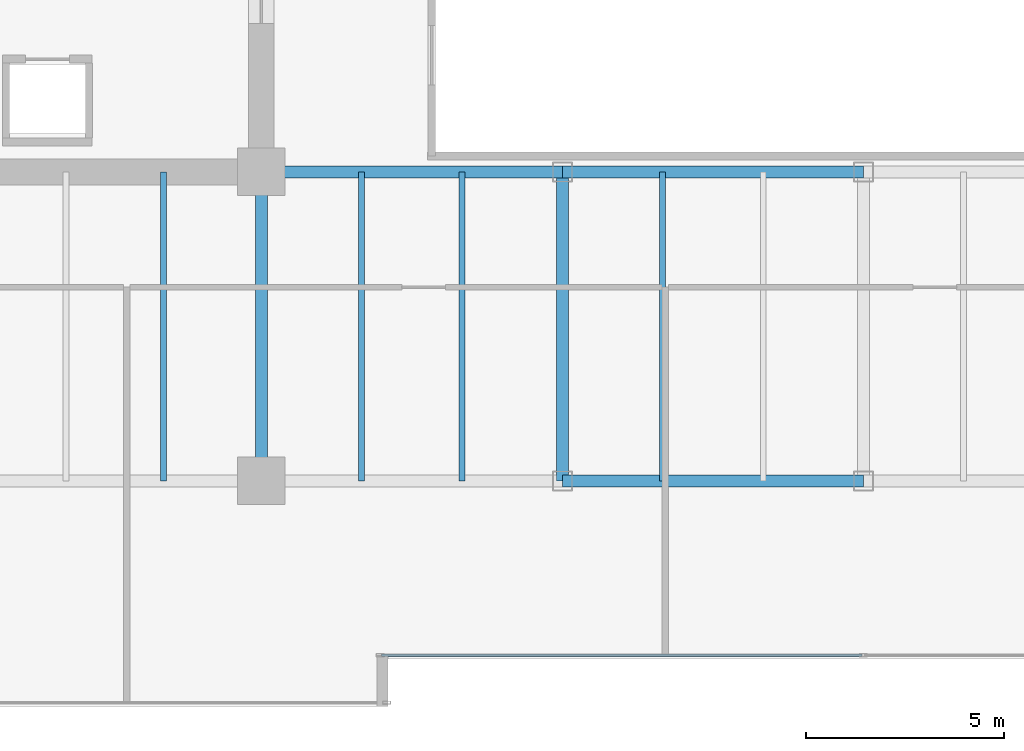
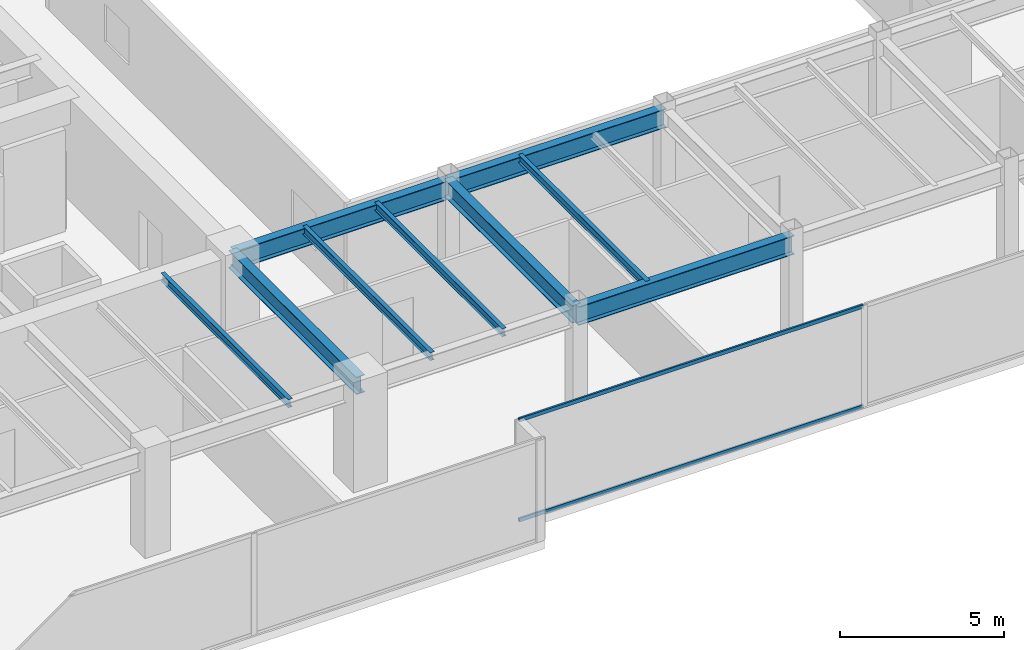
# One storey, part 5 of 30: 9 beams, 2 members, 1 element without a shape of its own.
"""IFC4 building model written with IfcOpenShell, lengths in metres."""

from ifc_helpers import new_model, si_unit, direction, frame, origin, origin_2d, place, context, subcontext, project, spatial, hollow_rectangle, i_section, extrude, source, transform, mapped, material, layer, layer_set, material_profile, profile_set, type_object, type_shapes, element, aggregate, save


model = new_model("IFC4")

# Units and contexts
model_context = context("Model", 3, precision=1e-05, world=origin(), true_north=direction((0.0, 1.0)))
body_context = subcontext(model_context, "Body", "Model", "MODEL_VIEW")
ifc_project = project(units=[si_unit("LENGTHUNIT", "METRE"), si_unit("AREAUNIT", "SQUARE_METRE"), si_unit("VOLUMEUNIT", "CUBIC_METRE"), si_unit("PLANEANGLEUNIT", "RADIAN"), si_unit("MASSUNIT", "GRAM", prefix="KILO")], contexts=[model_context])

# Site, building, storey
site_placement = place(None, origin())
site = spatial("IfcSite", under=ifc_project, at=site_placement, CompositionType="ELEMENT")
building_placement = place(site_placement, origin())
building = spatial("IfcBuilding", under=site, at=building_placement, Name="Haelvirn Gate Laboratories", CompositionType="ELEMENT")
storey_placement = place(building_placement, frame((0.0, 0.0, 142.0)))
storey = spatial("IfcBuildingStorey", under=building, at=storey_placement, Name="L34", CompositionType="ELEMENT", Elevation=142.0)

# Beams
ifc_material_1 = material(Name="Steel SM355", Category="steel")
ifc_material_profile_1 = material_profile(ifc_material_1, i_section(OverallWidth=0.300048828125, OverallDepth=0.64990234375, WebThickness=0.012939453125, FlangeThickness=0.02197265625, at=origin_2d()), Name="H-650x300x13x22")
ifc_profile_set_1 = profile_set([ifc_material_profile_1], Name="Steel SM355")
beam_type_1 = type_object("IfcBeamType", Name="BM-G-650", PredefinedType="BEAM", material=ifc_profile_set_1)
shared_shape_1 = source(origin(), body_context, "Body", "SweptSolid", [
    extrude(i_section(OverallWidth=0.300048828125, OverallDepth=0.64990234375, WebThickness=0.012939453125, FlangeThickness=0.02197265625, at=origin_2d()), origin(), (0.0, 0.0, 1.0), 7.800048828125),
])
type_shapes(beam_type_1, [shared_shape_1])
for number, where, z_axis, x_axis, name in (
    (1, (22.199951171875, 7.0, 3.465087890625), (0.0, 1.0, 0.0), (-1.0, 0.0, 0.0), "L34 Frame Girder X22.2 (7.0-14.8)"),
    (2, (29.800048828125, 7.0, 3.465087890625), (0.0, 1.0, 0.0), (-1.0, 0.0, 0.0), "L34 Frame Girder X29.8 (7.0-14.8)"),
):
    element("IfcBeam", number, at=place(storey_placement, frame(where, z_axis=z_axis, x_axis=x_axis)), inside=storey, type_object=beam_type_1, Name=name, PredefinedType="BEAM", context=body_context, shape_type="MappedRepresentation", body=[
        mapped(shared_shape_1, transform((0.0, 0.0, 0.0), scale=1.0)),
    ])
ifc_material_profile_2 = material_profile(ifc_material_1, i_section(OverallWidth=0.300048828125, OverallDepth=0.699951171875, WebThickness=0.012939453125, FlangeThickness=0.02392578125, at=origin_2d()), Name="H-700x300x13x24")
ifc_profile_set_2 = profile_set([ifc_material_profile_2], Name="Steel SM355")
beam_type_2 = type_object("IfcBeamType", Name="BM-G-700", PredefinedType="BEAM", material=ifc_profile_set_2)
shared_shape_2 = source(origin(), body_context, "Body", "SweptSolid", [
    extrude(i_section(OverallWidth=0.300048828125, OverallDepth=0.699951171875, WebThickness=0.012939453125, FlangeThickness=0.02392578125, at=origin_2d()), origin(), (0.0, 0.0, 1.0), 7.60009765625),
])
beam_placement = place(storey_placement, frame((22.199951171875, 14.800048828125, 3.43994140625), z_axis=(1.0, 0.0, 0.0), x_axis=(0.0, 1.0, 0.0)))
element("IfcBeam", 3, at=beam_placement, inside=storey, type_object=beam_type_2, Name="L34 Primary Girder Y14.8 (22.2-29.8)", PredefinedType="BEAM", context=body_context, shape_type="MappedRepresentation", body=[
    mapped(shared_shape_2, transform((0.0, 0.0, 0.0), scale=1.0)),
])
shared_shape_3 = source(origin(), body_context, "Body", "SweptSolid", [
    extrude(i_section(OverallWidth=0.300048828125, OverallDepth=0.699951171875, WebThickness=0.012939453125, FlangeThickness=0.02392578125, at=origin_2d()), origin(), (0.0, 0.0, 1.0), 7.599853515625),
])
type_shapes(beam_type_2, [shared_shape_2, shared_shape_3])
for number, where, z_axis, x_axis, name in (
    (4, (29.800048828125, 7.0, 3.43994140625), (1.0, 0.0, 0.0), (0.0, 1.0, 0.0), "L34 Primary Girder Y7.0 (29.8-37.4)"),
    (5, (29.800048828125, 14.800048828125, 3.43994140625), (1.0, 0.0, 0.0), (0.0, 1.0, 0.0), "L34 Primary Girder Y14.8 (29.8-37.4)"),
):
    element("IfcBeam", number, at=place(storey_placement, frame(where, z_axis=z_axis, x_axis=x_axis)), inside=storey, type_object=beam_type_2, Name=name, PredefinedType="BEAM", context=body_context, shape_type="MappedRepresentation", body=[
        mapped(shared_shape_3, transform((0.0, 0.0, 0.0), scale=1.0)),
    ])
ifc_material_profile_3 = material_profile(ifc_material_1, i_section(OverallWidth=0.14990234375, OverallDepth=0.300048828125, WebThickness=0.006591796875, FlangeThickness=0.009033203125, at=origin_2d()), Name="H-300x150x6.5x9")
ifc_profile_set_3 = profile_set([ifc_material_profile_3], Name="Steel SM355")
beam_type_3 = type_object("IfcBeamType", Name="BM-J-300", PredefinedType="JOIST", material=ifc_profile_set_3)
shared_shape_4 = source(origin(), body_context, "Body", "SweptSolid", [
    extrude(i_section(OverallWidth=0.14990234375, OverallDepth=0.300048828125, WebThickness=0.006591796875, FlangeThickness=0.009033203125, at=origin_2d()), origin(), (0.0, 0.0, 1.0), 7.800048828125),
])
type_shapes(beam_type_3, [shared_shape_4])
for number, where, z_axis, x_axis, name in (
    (6, (19.72998046875, 7.0, 3.639892578125), (0.0, 1.0, 0.0), (-1.0, 0.0, 0.0), "L34 Composite Lab Joist South X19.73"),
    (7, (24.72998046875, 7.0, 3.639892578125), (0.0, 1.0, 0.0), (-1.0, 0.0, 0.0), "L34 Composite Lab Joist South X24.73"),
    (8, (27.27001953125, 7.0, 3.639892578125), (0.0, 1.0, 0.0), (-1.0, 0.0, 0.0), "L34 Composite Lab Joist South X27.27"),
    (9, (32.330078125, 7.0, 3.639892578125), (0.0, 1.0, 0.0), (-1.0, 0.0, 0.0), "L34 Composite Lab Joist South X32.33"),
):
    element("IfcBeam", number, at=place(storey_placement, frame(where, z_axis=z_axis, x_axis=x_axis)), inside=storey, type_object=beam_type_3, Name=name, PredefinedType="JOIST", context=body_context, shape_type="MappedRepresentation", body=[
        mapped(shared_shape_4, transform((0.0, 0.0, 0.0), scale=1.0)),
    ])

# Curtain wall, members
ifc_material_2 = material(Name="Anodised bronze unitised aluminium & triple low-E glass", Category="aluminium")
ifc_layer = layer(ifc_material_2, 0.179931640625, Name="CW-SYS-3")
ifc_layer_set = layer_set([ifc_layer], Name="Anodised bronze unitised aluminium & triple low-E glass")
curtain_wall_type = type_object("IfcCurtainWallType", Name="CW-SYS-3", PredefinedType="NOTDEFINED", material=ifc_layer_set)
curtain_wall_placement = place(storey_placement, origin())
curtain_wall = element("IfcCurtainWall", 10, at=curtain_wall_placement, inside=storey, type_object=curtain_wall_type, Name="L34 Unitised Curtain Wall CW-L34-P0-E02-1", PredefinedType="NOTDEFINED")
ifc_material_3 = material(Name="Extruded aluminium 6063-T6 (anodised bronze)", Category="aluminium")
ifc_material_profile_4 = material_profile(ifc_material_3, hollow_rectangle(XDim=0.06494140625, YDim=0.139892578125, WallThickness=0.00390625, at=origin_2d()), Name="CWT-140x65x4")
ifc_profile_set_4 = profile_set([ifc_material_profile_4], Name="Extruded aluminium 6063-T6 (anodised bronze)")
member_type = type_object("IfcMemberType", Name="CWT-T140", PredefinedType="USERDEFINED", material=ifc_profile_set_4)
shared_shape_5 = source(origin(), body_context, "Body", "SweptSolid", [
    extrude(hollow_rectangle(XDim=0.06494140625, YDim=0.139892578125, WallThickness=0.00390625, at=origin_2d()), origin(), (0.0, 0.0, 1.0), 12.12744140625),
])
type_shapes(member_type, [shared_shape_5])
member_1_placement = place(storey_placement, frame((25.235107421875, 2.60009765625, 0.032470703125), z_axis=(1.0, 0.0, 0.0), x_axis=(0.0, 1.0, 0.0)))
member_1 = element("IfcMember", 11, at=member_1_placement, type_object=member_type, Name="CW3 transom 1.1", ObjectType="TRANSOM", PredefinedType="USERDEFINED", context=body_context, shape_type="MappedRepresentation", body=[
    mapped(shared_shape_5, transform((0.0, 0.0, 0.0), scale=1.0)),
])
member_2_placement = place(storey_placement, frame((25.235107421875, 2.60009765625, 3.757568359375), z_axis=(1.0, 0.0, 0.0), x_axis=(0.0, 1.0, 0.0)))
member_2 = element("IfcMember", 12, at=member_2_placement, type_object=member_type, Name="CW3 transom 1.2", ObjectType="TRANSOM", PredefinedType="USERDEFINED", context=body_context, shape_type="MappedRepresentation", body=[
    mapped(shared_shape_5, transform((0.0, 0.0, 0.0), scale=1.0)),
])
aggregate(curtain_wall, [member_1, member_2])

save(model, "model.ifc")
